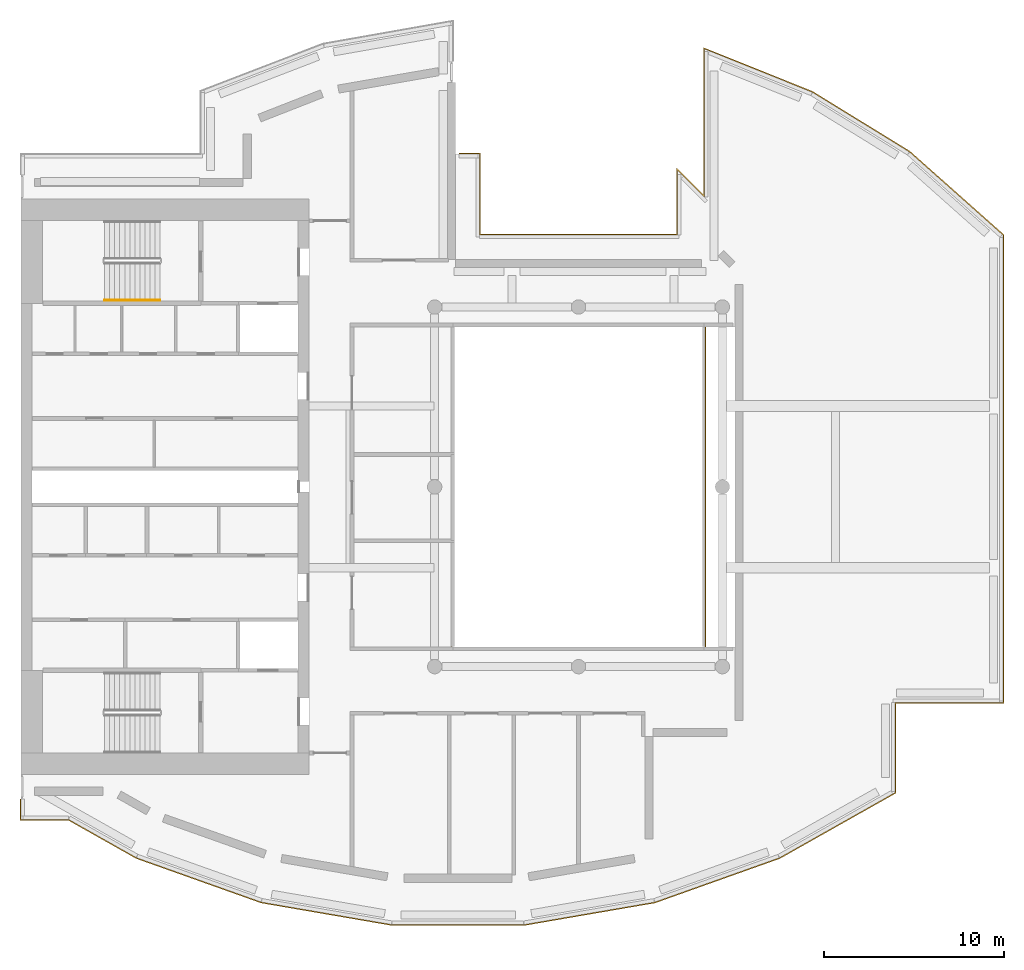
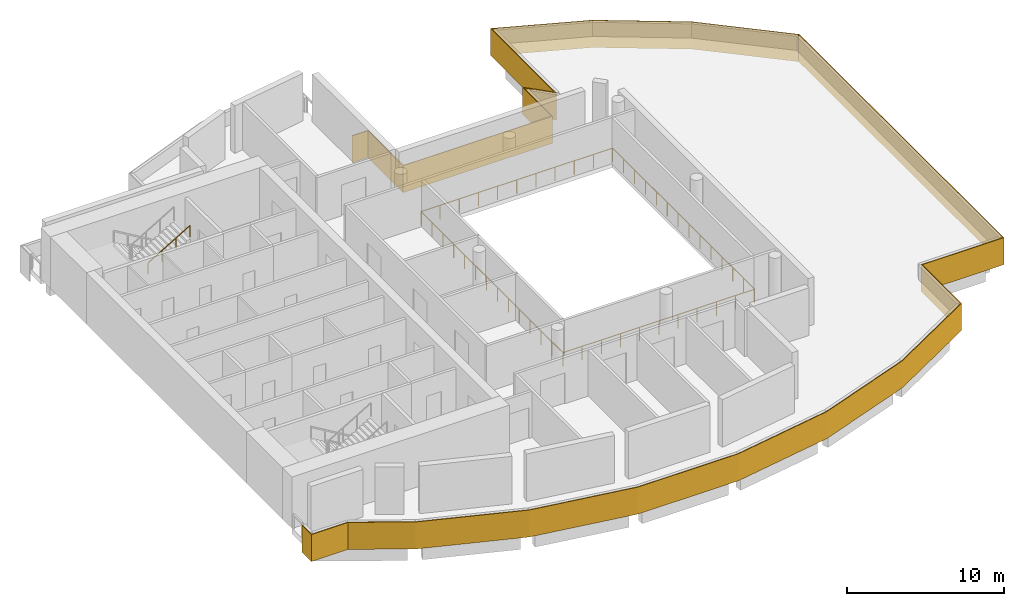
# One storey, part 7 of 8: 2 railings, 1 covering.
"""IFC4 building model written with IfcOpenShell, lengths in metres."""

from ifc_helpers import new_model, si_unit, direction, frame, origin, origin_2d, place, context, subcontext, project, spatial, polyline, rectangle, outline, extrude, material, layer, layer_set, type_object, element, save


model = new_model("IFC4")

# Units and contexts
model_context = context("Model", 3, precision=1e-05, world=origin(), true_north=direction((0.0, 1.0)))
body_context = subcontext(model_context, "Body", "Model", "MODEL_VIEW")
ifc_project = project(units=[si_unit("LENGTHUNIT", "METRE"), si_unit("AREAUNIT", "SQUARE_METRE"), si_unit("VOLUMEUNIT", "CUBIC_METRE"), si_unit("PLANEANGLEUNIT", "RADIAN"), si_unit("MASSUNIT", "GRAM", prefix="KILO")], contexts=[model_context])

# Site, building, storey
site_placement = place(None, origin())
site = spatial("IfcSite", under=ifc_project, at=site_placement, CompositionType="ELEMENT")
building_placement = place(site_placement, origin())
building = spatial("IfcBuilding", under=site, at=building_placement, Name="Cypress Arch Tower", CompositionType="ELEMENT")
storey_placement = place(building_placement, frame((0.0, 0.0, 343.0)))
storey = spatial("IfcBuildingStorey", under=building, at=storey_placement, Name="L78", CompositionType="ELEMENT", Elevation=343.0)

# Railing
ifc_material_1 = material(Name="Stainless steel posts and handrail, laminated glass infill", Category="steel")
railing_type_1 = type_object("IfcRailingType", Name="Atrium guard GR1100A", PredefinedType="GUARDRAIL", material=ifc_material_1)
railing_1_placement = place(storey_placement, frame((8.050048828125, -9.050048828125, 0.0)))
element("IfcRailing", 1, at=railing_1_placement, inside=storey, type_object=railing_type_1, Name="Atrium guard L78", PredefinedType="GUARDRAIL", context=body_context, shape_type="SweptSolid", body=[
    extrude(rectangle(XDim=0.050048828125, YDim=0.050048828125, at=origin_2d()), frame((0.0, 0.0, 1.0751953125), z_axis=(-1.0, 0.0, 0.0), x_axis=(0.0, -1.0, 0.0)), (0.0, 0.0, 1.0), 14.10009765625),
    extrude(rectangle(XDim=0.050048828125, YDim=0.050048828125, at=origin_2d()), frame((-14.10009765625, 0.0, 1.0751953125), z_axis=(0.0, 1.0, 0.0), x_axis=(-1.0, 0.0, 0.0)), (0.0, 0.0, 1.0), 18.10009765625),
    extrude(rectangle(XDim=0.050048828125, YDim=0.050048828125, at=origin_2d()), frame((-14.10009765625, 18.10009765625, 1.0751953125), z_axis=(1.0, 0.0, 0.0), x_axis=(0.0, 1.0, 0.0)), (0.0, 0.0, 1.0), 14.10009765625),
    extrude(rectangle(XDim=0.050048828125, YDim=0.050048828125, at=origin_2d()), frame((0.0, 18.10009765625, 1.0751953125), z_axis=(0.0, -1.0, 0.0), x_axis=(1.0, 0.0, 0.0)), (0.0, 0.0, 1.0), 18.10009765625),
    extrude(rectangle(XDim=0.050048828125, YDim=0.050048828125, at=origin_2d()), origin(), (0.0, 0.0, 1.0), 1.050048828125),
    extrude(rectangle(XDim=0.050048828125, YDim=0.050048828125, at=origin_2d()), frame((-1.409912109375, 0.0, 0.0)), (0.0, 0.0, 1.0), 1.050048828125),
    extrude(rectangle(XDim=0.050048828125, YDim=0.050048828125, at=origin_2d()), frame((-2.820068359375, 0.0, 0.0)), (0.0, 0.0, 1.0), 1.050048828125),
    extrude(rectangle(XDim=0.050048828125, YDim=0.050048828125, at=origin_2d()), frame((-4.22998046875, 0.0, 0.0)), (0.0, 0.0, 1.0), 1.050048828125),
    extrude(rectangle(XDim=0.050048828125, YDim=0.050048828125, at=origin_2d()), frame((-5.64013671875, 0.0, 0.0)), (0.0, 0.0, 1.0), 1.050048828125),
    extrude(rectangle(XDim=0.050048828125, YDim=0.050048828125, at=origin_2d()), frame((-7.050048828125, 0.0, 0.0)), (0.0, 0.0, 1.0), 1.050048828125),
    extrude(rectangle(XDim=0.050048828125, YDim=0.050048828125, at=origin_2d()), frame((-8.4599609375, 0.0, 0.0)), (0.0, 0.0, 1.0), 1.050048828125),
    extrude(rectangle(XDim=0.050048828125, YDim=0.050048828125, at=origin_2d()), frame((-9.8701171875, 0.0, 0.0)), (0.0, 0.0, 1.0), 1.050048828125),
    extrude(rectangle(XDim=0.050048828125, YDim=0.050048828125, at=origin_2d()), frame((-11.280029296875, 0.0, 0.0)), (0.0, 0.0, 1.0), 1.050048828125),
    extrude(rectangle(XDim=0.050048828125, YDim=0.050048828125, at=origin_2d()), frame((-12.690185546875, 0.0, 0.0)), (0.0, 0.0, 1.0), 1.050048828125),
    extrude(rectangle(XDim=0.050048828125, YDim=0.050048828125, at=origin_2d()), frame((-14.10009765625, 0.0, 0.0)), (0.0, 0.0, 1.0), 1.050048828125),
    extrude(rectangle(XDim=0.050048828125, YDim=0.050048828125, at=origin_2d()), frame((-14.10009765625, 1.392333984375, 0.0)), (0.0, 0.0, 1.0), 1.050048828125),
    extrude(rectangle(XDim=0.050048828125, YDim=0.050048828125, at=origin_2d()), frame((-14.10009765625, 2.78466796875, 0.0)), (0.0, 0.0, 1.0), 1.050048828125),
    extrude(rectangle(XDim=0.050048828125, YDim=0.050048828125, at=origin_2d()), frame((-14.10009765625, 4.177001953125, 0.0)), (0.0, 0.0, 1.0), 1.050048828125),
    extrude(rectangle(XDim=0.050048828125, YDim=0.050048828125, at=origin_2d()), frame((-14.10009765625, 5.5693359375, 0.0)), (0.0, 0.0, 1.0), 1.050048828125),
    extrude(rectangle(XDim=0.050048828125, YDim=0.050048828125, at=origin_2d()), frame((-14.10009765625, 6.961669921875, 0.0)), (0.0, 0.0, 1.0), 1.050048828125),
    extrude(rectangle(XDim=0.050048828125, YDim=0.050048828125, at=origin_2d()), frame((-14.10009765625, 8.35400390625, 0.0)), (0.0, 0.0, 1.0), 1.050048828125),
    extrude(rectangle(XDim=0.050048828125, YDim=0.050048828125, at=origin_2d()), frame((-14.10009765625, 9.74609375, 0.0)), (0.0, 0.0, 1.0), 1.050048828125),
    extrude(rectangle(XDim=0.050048828125, YDim=0.050048828125, at=origin_2d()), frame((-14.10009765625, 11.138427734375, 0.0)), (0.0, 0.0, 1.0), 1.050048828125),
    extrude(rectangle(XDim=0.050048828125, YDim=0.050048828125, at=origin_2d()), frame((-14.10009765625, 12.53076171875, 0.0)), (0.0, 0.0, 1.0), 1.050048828125),
    extrude(rectangle(XDim=0.050048828125, YDim=0.050048828125, at=origin_2d()), frame((-14.10009765625, 13.923095703125, 0.0)), (0.0, 0.0, 1.0), 1.050048828125),
    extrude(rectangle(XDim=0.050048828125, YDim=0.050048828125, at=origin_2d()), frame((-14.10009765625, 15.3154296875, 0.0)), (0.0, 0.0, 1.0), 1.050048828125),
    extrude(rectangle(XDim=0.050048828125, YDim=0.050048828125, at=origin_2d()), frame((-14.10009765625, 16.707763671875, 0.0)), (0.0, 0.0, 1.0), 1.050048828125),
    extrude(rectangle(XDim=0.050048828125, YDim=0.050048828125, at=origin_2d()), frame((-14.10009765625, 18.10009765625, 0.0)), (0.0, 0.0, 1.0), 1.050048828125),
    extrude(rectangle(XDim=0.050048828125, YDim=0.050048828125, at=origin_2d()), frame((-12.690185546875, 18.10009765625, 0.0)), (0.0, 0.0, 1.0), 1.050048828125),
    extrude(rectangle(XDim=0.050048828125, YDim=0.050048828125, at=origin_2d()), frame((-11.280029296875, 18.10009765625, 0.0)), (0.0, 0.0, 1.0), 1.050048828125),
    extrude(rectangle(XDim=0.050048828125, YDim=0.050048828125, at=origin_2d()), frame((-9.8701171875, 18.10009765625, 0.0)), (0.0, 0.0, 1.0), 1.050048828125),
    extrude(rectangle(XDim=0.050048828125, YDim=0.050048828125, at=origin_2d()), frame((-8.4599609375, 18.10009765625, 0.0)), (0.0, 0.0, 1.0), 1.050048828125),
    extrude(rectangle(XDim=0.050048828125, YDim=0.050048828125, at=origin_2d()), frame((-7.050048828125, 18.10009765625, 0.0)), (0.0, 0.0, 1.0), 1.050048828125),
    extrude(rectangle(XDim=0.050048828125, YDim=0.050048828125, at=origin_2d()), frame((-5.64013671875, 18.10009765625, 0.0)), (0.0, 0.0, 1.0), 1.050048828125),
    extrude(rectangle(XDim=0.050048828125, YDim=0.050048828125, at=origin_2d()), frame((-4.22998046875, 18.10009765625, 0.0)), (0.0, 0.0, 1.0), 1.050048828125),
    extrude(rectangle(XDim=0.050048828125, YDim=0.050048828125, at=origin_2d()), frame((-2.820068359375, 18.10009765625, 0.0)), (0.0, 0.0, 1.0), 1.050048828125),
    extrude(rectangle(XDim=0.050048828125, YDim=0.050048828125, at=origin_2d()), frame((-1.409912109375, 18.10009765625, 0.0)), (0.0, 0.0, 1.0), 1.050048828125),
    extrude(rectangle(XDim=0.050048828125, YDim=0.050048828125, at=origin_2d()), frame((0.0, 18.10009765625, 0.0)), (0.0, 0.0, 1.0), 1.050048828125),
    extrude(rectangle(XDim=0.050048828125, YDim=0.050048828125, at=origin_2d()), frame((0.0, 16.707763671875, 0.0)), (0.0, 0.0, 1.0), 1.050048828125),
    extrude(rectangle(XDim=0.050048828125, YDim=0.050048828125, at=origin_2d()), frame((0.0, 15.3154296875, 0.0)), (0.0, 0.0, 1.0), 1.050048828125),
    extrude(rectangle(XDim=0.050048828125, YDim=0.050048828125, at=origin_2d()), frame((0.0, 13.923095703125, 0.0)), (0.0, 0.0, 1.0), 1.050048828125),
    extrude(rectangle(XDim=0.050048828125, YDim=0.050048828125, at=origin_2d()), frame((0.0, 12.53076171875, 0.0)), (0.0, 0.0, 1.0), 1.050048828125),
    extrude(rectangle(XDim=0.050048828125, YDim=0.050048828125, at=origin_2d()), frame((0.0, 11.138427734375, 0.0)), (0.0, 0.0, 1.0), 1.050048828125),
    extrude(rectangle(XDim=0.050048828125, YDim=0.050048828125, at=origin_2d()), frame((0.0, 9.74609375, 0.0)), (0.0, 0.0, 1.0), 1.050048828125),
    extrude(rectangle(XDim=0.050048828125, YDim=0.050048828125, at=origin_2d()), frame((0.0, 8.35400390625, 0.0)), (0.0, 0.0, 1.0), 1.050048828125),
    extrude(rectangle(XDim=0.050048828125, YDim=0.050048828125, at=origin_2d()), frame((0.0, 6.961669921875, 0.0)), (0.0, 0.0, 1.0), 1.050048828125),
    extrude(rectangle(XDim=0.050048828125, YDim=0.050048828125, at=origin_2d()), frame((0.0, 5.5693359375, 0.0)), (0.0, 0.0, 1.0), 1.050048828125),
    extrude(rectangle(XDim=0.050048828125, YDim=0.050048828125, at=origin_2d()), frame((0.0, 4.177001953125, 0.0)), (0.0, 0.0, 1.0), 1.050048828125),
    extrude(rectangle(XDim=0.050048828125, YDim=0.050048828125, at=origin_2d()), frame((0.0, 2.78466796875, 0.0)), (0.0, 0.0, 1.0), 1.050048828125),
    extrude(rectangle(XDim=0.050048828125, YDim=0.050048828125, at=origin_2d()), frame((0.0, 1.392333984375, 0.0)), (0.0, 0.0, 1.0), 1.050048828125),
])

# Covering
ifc_material_2 = material(Name="White powder-coated aluminium fascia", Category="aluminium")
ifc_layer = layer(ifc_material_2, 0.06005859375)
ifc_layer_set = layer_set([ifc_layer], Name="Canopy fascia CF60")
covering_type = type_object("IfcCoveringType", Name="Canopy fascia CF60", PredefinedType="CLADDING", material=ifc_layer_set)
covering_placement = place(storey_placement, frame((0.0, 0.0, -1.0)))
element("IfcCovering", 2, at=covering_placement, inside=storey, type_object=covering_type, Name="Canopy fascia L78", PredefinedType="CLADDING", context=body_context, shape_type="SweptSolid", body=[
    extrude(outline(polyline([(7.93994140625, 16.26611328125), (7.93994140625, 24.438720703125), (14.027099609375, 21.993896484375), (19.435791015625, 18.66845703125), (24.659912109375, 14.02685546875), (24.659912109375, -12.06005859375), (18.659912109375, -12.06005859375), (18.659912109375, -17.03515625), (12.205078125, -20.6748046875), (5.25537109375, -23.148193359375), (-2.014892578125, -24.39990234375), (-9.385009765625, -24.39990234375), (-16.6552734375, -23.148193359375), (-23.60498046875, -20.6748046875), (-27.35546875, -18.56005859375), (-30.06005859375, -18.56005859375), (-30.06005859375, -17.35009765625), (-30.0, -17.35009765625), (-30.0, -18.5), (-27.33984375, -18.5), (-23.580078125, -20.6201171875), (-16.639892578125, -23.090087890625), (-9.3798828125, -24.340087890625), (-2.02001953125, -24.340087890625), (5.239990234375, -23.090087890625), (12.179931640625, -20.6201171875), (18.60009765625, -17.0), (18.60009765625, -12.0), (24.60009765625, -12.0), (24.60009765625, 14.0), (19.39990234375, 18.6201171875), (14.0, 21.93994140625), (8.0, 24.35009765625), (8.0, 16.121337890625), (6.5, 17.621337890625), (6.5, 14.0), (-4.5, 14.0), (-4.5, 18.5), (-5.64990234375, 18.5), (-5.64990234375, 18.56005859375), (-4.43994140625, 18.56005859375), (-4.43994140625, 14.06005859375), (6.43994140625, 14.06005859375), (6.43994140625, 17.76611328125), (7.93994140625, 16.26611328125)])), origin(), (0.0, 0.0, 1.0), 2.10009765625),
])

# Railing
ifc_material_3 = material(Name="Black powder-coated steel square bar 48 mm", Category="steel")
railing_type_2 = type_object("IfcRailingType", Name="Stair handrail HR1", PredefinedType="HANDRAIL", material=ifc_material_3)
railing_2_placement = place(storey_placement, frame((-25.35498046875, 10.375, 2.166748046875)))
element("IfcRailing", 3, at=railing_2_placement, inside=storey, type_object=railing_type_2, Name="L78 B stair handrail 2", PredefinedType="HANDRAIL", context=body_context, shape_type="SweptSolid", body=[
    extrude(rectangle(XDim=0.048095703125, YDim=0.048095703125, at=origin_2d()), frame((0.0, 0.0, 0.8759765625), z_axis=(0.859308565015, 0.0, 0.511457515432), x_axis=(0.0, 1.0, 0.0)), (0.0, 0.0, 1.0), 3.58447265625),
    extrude(rectangle(XDim=0.0419921875, YDim=0.0419921875, at=origin_2d()), origin(), (0.0, 0.0, 1.0), 0.851806640625),
    extrude(rectangle(XDim=0.0419921875, YDim=0.0419921875, at=origin_2d()), frame((1.026611328125, 0.0, 0.611083984375)), (0.0, 0.0, 1.0), 0.851806640625),
    extrude(rectangle(XDim=0.0419921875, YDim=0.0419921875, at=origin_2d()), frame((2.053466796875, 0.0, 1.22216796875)), (0.0, 0.0, 1.0), 0.851806640625),
    extrude(rectangle(XDim=0.0419921875, YDim=0.0419921875, at=origin_2d()), frame((3.080078125, 0.0, 1.833251953125)), (0.0, 0.0, 1.0), 0.851806640625),
])

save(model, "model.ifc")
